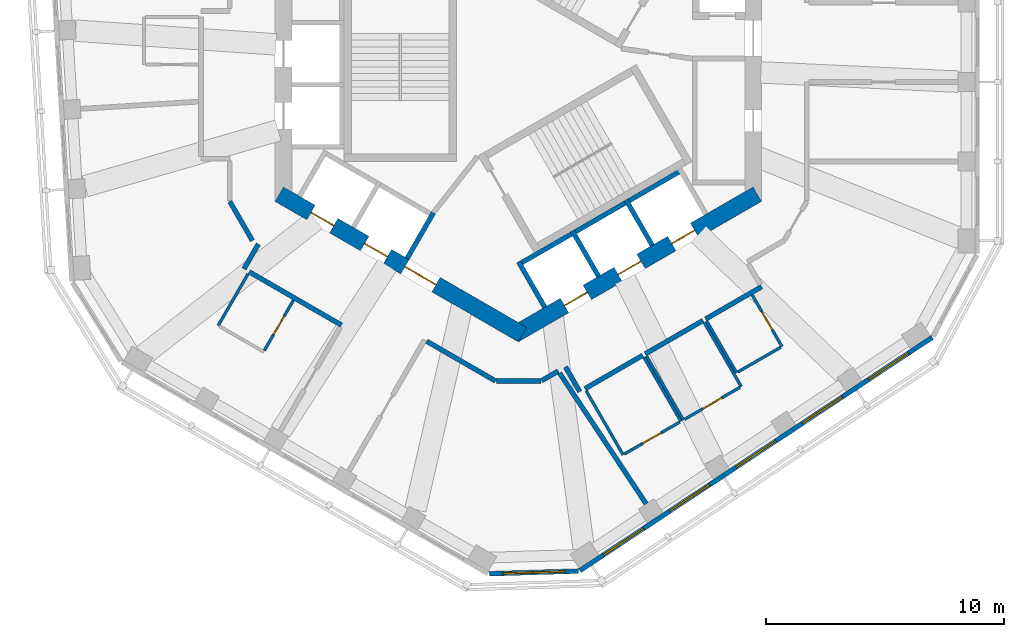
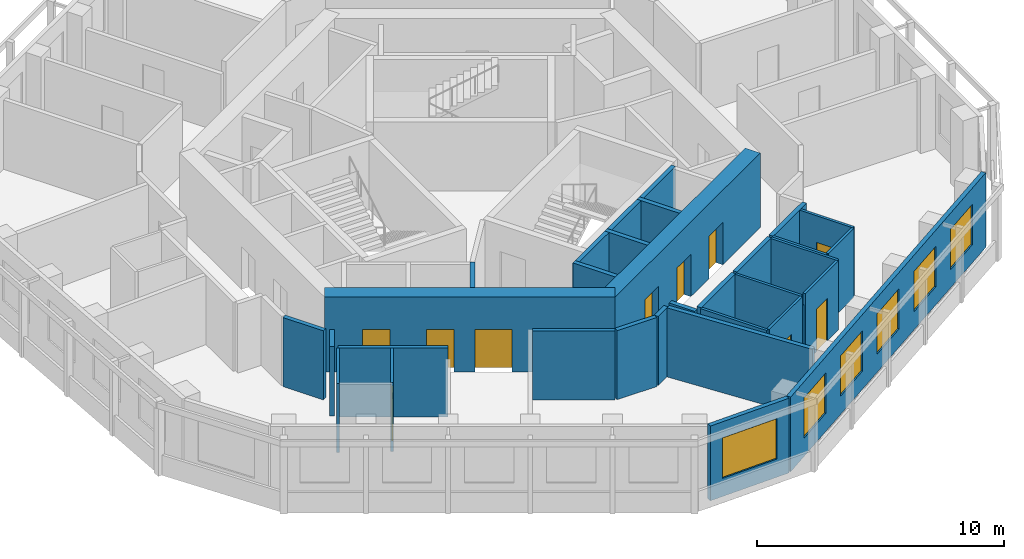
# One storey, part 4 of 11: 31 walls, 10 doors, 6 windows, 16 openings.
"""IFC4 building model written with IfcOpenShell, lengths in metres."""

import ifcopenshell
import ifcopenshell.guid

model = None  # the IFC model being written
_history = None  # IfcOwnerHistory: only IFC2X3 demands one
_inside = {}  # id of a spatial element -> (the spatial element, [elements in it])
_under = {}  # id of a project, library or spatial element -> (it, [spatial elements below it])
_declared = {}  # id of a project -> (the project, [libraries it declares])
_typed = {}  # id of a type object -> (the type object, [elements of that type])
_made_of = {}  # id of a material, layer set ... -> (it, [elements and type objects made of it])


def new_model(schema):
    """Start an empty IFC model of exactly this schema.

    Asked for "IFC4X3", IfcOpenShell would pick the latest addendum, in which some entities
    have other attributes; the version numbers below select the first issue.
    IFC2X3 requires an IfcOwnerHistory on every rooted entity: one is made here for all.
    """
    global model, _history
    if schema == "IFC4X3":
        model = ifcopenshell.file(schema_version=(4, 3, 0, 0))
    else:
        model = ifcopenshell.file(schema=schema)
    _inside.clear()
    _under.clear()
    _declared.clear()
    _typed.clear()
    _made_of.clear()
    _history = None
    if model.schema == "IFC2X3":
        org = make("IfcOrganization", Name="unknown")
        user = make(
            "IfcPersonAndOrganization",
            ThePerson=make("IfcPerson", FamilyName="unknown"),
            TheOrganization=org,
        )
        app = make(
            "IfcApplication",
            ApplicationDeveloper=org,
            Version="unknown",
            ApplicationFullName="unknown",
            ApplicationIdentifier="unknown",
        )
        _history = make(
            "IfcOwnerHistory",
            OwningUser=user,
            OwningApplication=app,
            ChangeAction="ADDED",
            CreationDate=0,
        )
    return model


def make(cls, **values):
    """One entity of the class cls with the attributes given. An attribute that is None is left unset."""
    return model.create_entity(
        cls, **{name: value for name, value in values.items() if value is not None}
    )


def rooted(cls, **values):
    """An entity with a GlobalId (a new one), such as an element, a storey or a relation."""
    return make(cls, GlobalId=ifcopenshell.guid.new(), OwnerHistory=_history, **values)


def si_unit(unit_type, name, prefix=None):
    """IfcSIUnit, for example si_unit("LENGTHUNIT", "METRE", prefix="MILLI")."""
    return make("IfcSIUnit", UnitType=unit_type, Prefix=prefix, Name=name)


def assignment(units):
    """IfcUnitAssignment: the units of a project."""
    return None if units is None else make("IfcUnitAssignment", Units=units)


def point(xyz):
    """IfcCartesianPoint."""
    return None if xyz is None else make("IfcCartesianPoint", Coordinates=xyz)


def direction(xyz):
    """IfcDirection."""
    return None if xyz is None else make("IfcDirection", DirectionRatios=xyz)


def frame(location, z_axis=None, x_axis=None):
    """IfcAxis2Placement3D, a coordinate frame: its origin and axes. An axis left out is left unset."""
    return make(
        "IfcAxis2Placement3D",
        Location=point(location),
        Axis=direction(z_axis),
        RefDirection=direction(x_axis),
    )


def frame_2d(location, x_axis=None):
    """IfcAxis2Placement2D, a coordinate frame in the plane: its origin and x axis."""
    return make(
        "IfcAxis2Placement2D", Location=point(location), RefDirection=direction(x_axis)
    )


def origin():
    """The frame at (0, 0, 0) with its axes left unset."""
    return frame((0.0, 0.0, 0.0))


def place(relative_to, where):
    """IfcLocalPlacement: puts the frame where relative to a parent placement (None: the world)."""
    return make(
        "IfcLocalPlacement", PlacementRelTo=relative_to, RelativePlacement=where
    )


def context(
    kind, dimensions, precision=None, world=None, true_north=None, identifier=None
):
    """IfcGeometricRepresentationContext, for example the 3D "Model" context."""
    return make(
        "IfcGeometricRepresentationContext",
        ContextIdentifier=identifier,
        ContextType=kind,
        CoordinateSpaceDimension=dimensions,
        Precision=precision,
        WorldCoordinateSystem=world,
        TrueNorth=true_north,
    )


def subcontext(parent, identifier, kind, view, scale=None):
    """IfcGeometricRepresentationSubContext, for example "Body" below "Model"."""
    return make(
        "IfcGeometricRepresentationSubContext",
        ContextIdentifier=identifier,
        ContextType=kind,
        ParentContext=parent,
        TargetScale=scale,
        TargetView=view,
    )


def project(units=None, contexts=None):
    """IfcProject with its units and contexts."""
    return rooted(
        "IfcProject",
        Name="project",
        RepresentationContexts=contexts,
        UnitsInContext=assignment(units),
    )


def spatial(cls, under=None, at=None, **own):
    """A site, building, storey or space (cls), placed at a placement, below another one or the project."""
    s = rooted(cls, ObjectPlacement=at, **own)
    if under is not None:
        _under.setdefault(under.id(), (under, []))[1].append(s)
    return s


def profile(cls, at=None, kind="AREA", **sizes):
    """A parametric profile (cls). Its sizes go by their IFC names, for example OverallWidth=200.0."""
    return make(cls, ProfileType=kind, Position=at, **sizes)


def rectangle(**sizes):
    """IfcRectangleProfileDef."""
    return profile("IfcRectangleProfileDef", **sizes)


def extrude(swept, where, along, depth):
    """IfcExtrudedAreaSolid: the profile swept, set in the frame where, extruded along a direction by depth."""
    return make(
        "IfcExtrudedAreaSolid",
        SweptArea=swept,
        Position=where,
        ExtrudedDirection=direction(along),
        Depth=depth,
    )


def shape(context_of_items, identifier, shape_type, items):
    """IfcShapeRepresentation: the items that make up one representation, for example the "Body"."""
    return make(
        "IfcShapeRepresentation",
        ContextOfItems=context_of_items,
        RepresentationIdentifier=identifier,
        RepresentationType=shape_type,
        Items=items,
    )


def material(Name=None, Category=None):
    """IfcMaterial."""
    return make("IfcMaterial", Name=Name, Category=Category)


def layer(
    of_material, thickness, ventilated=None, Name=None, Category=None, Priority=None
):
    """IfcMaterialLayer: one layer of a wall or slab, of a material (None: an air gap)."""
    return make(
        "IfcMaterialLayer",
        Material=of_material,
        LayerThickness=thickness,
        IsVentilated=ventilated,
        Name=Name,
        Category=Category,
        Priority=Priority,
    )


def layer_set(layers, Name=None):
    """IfcMaterialLayerSet."""
    return make("IfcMaterialLayerSet", MaterialLayers=layers, LayerSetName=Name)


def made_of(thing, what):
    """Note that an element or type object is made of a material, layer set ...; save() writes the relation."""
    if what is not None:
        _made_of.setdefault(what.id(), (what, []))[1].append(thing)
    return thing


def type_object(cls, material=None, **own):
    """A type object (cls), such as IfcWallType, which elements share."""
    return made_of(rooted(cls, **own), material)


def element(
    cls,
    number,
    at=None,
    inside=None,
    cuts=None,
    type_object=None,
    material=None,
    context=None,
    identifier="Body",
    shape_type=None,
    held_by="IfcProductDefinitionShape",
    body=None,
    shapes=None,
    **own,
):
    """One element of the class cls, such as IfcWall. Its Tag is "e" and its number.

    at: its placement. inside: the storey or other place that contains it. cuts: it is an
    opening in that element (IfcRelVoidsElement). A single representation is given by context,
    identifier, shape_type and body (its items); several are given by shapes. held_by: the class
    of the entity that holds the representations. save() writes the other relations.
    """
    e = rooted(cls, Tag="e%d" % number, ObjectPlacement=at, **own)
    if body is not None:
        shapes = [shape(context, identifier, shape_type, body)]
    if shapes is not None:
        e.Representation = make(held_by, Representations=shapes)
    if inside is not None:
        _inside.setdefault(inside.id(), (inside, []))[1].append(e)
    if cuts is not None:
        rooted(
            "IfcRelVoidsElement", RelatingBuildingElement=cuts, RelatedOpeningElement=e
        )
    if type_object is not None:
        _typed.setdefault(type_object.id(), (type_object, []))[1].append(e)
    return made_of(e, material)


def fill(opening, filler):
    """IfcRelFillsElement: the door or window that sits in an opening."""
    return rooted(
        "IfcRelFillsElement",
        RelatingOpeningElement=opening,
        RelatedBuildingElement=filler,
    )


def aggregate(whole, parts):
    """IfcRelAggregates: a whole, such as a stair, and the parts it consists of."""
    return rooted("IfcRelAggregates", RelatingObject=whole, RelatedObjects=parts)


def save(model, path):
    """Write the relations noted so far, then the file.

    IfcRelAggregates (storeys below a building ...), IfcRelContainedInSpatialStructure (elements
    in a storey), IfcRelDefinesByType, IfcRelAssociatesMaterial and IfcRelDeclares: one each for
    every whole, place, type object, material and project.
    """
    for whole, parts in _under.values():
        aggregate(whole, parts)
    for where, things in _inside.values():
        rooted(
            "IfcRelContainedInSpatialStructure",
            RelatedElements=things,
            RelatingStructure=where,
        )
    for kind, things in _typed.values():
        rooted("IfcRelDefinesByType", RelatedObjects=things, RelatingType=kind)
    for what, things in _made_of.values():
        rooted("IfcRelAssociatesMaterial", RelatedObjects=things, RelatingMaterial=what)
    for by, libraries in _declared.values():
        rooted("IfcRelDeclares", RelatingContext=by, RelatedDefinitions=libraries)
    model.write(path)


model = new_model("IFC4")

# Units and contexts
model_context = context("Model", 3, precision=1e-05, world=origin(), true_north=direction((0.0, 1.0)))
body_context = subcontext(model_context, "Body", "Model", "MODEL_VIEW")
ifc_project = project(units=[si_unit("LENGTHUNIT", "METRE"), si_unit("AREAUNIT", "SQUARE_METRE"), si_unit("VOLUMEUNIT", "CUBIC_METRE"), si_unit("PLANEANGLEUNIT", "RADIAN"), si_unit("MASSUNIT", "GRAM", prefix="KILO")], contexts=[model_context])

# Site, building, storey
site_placement = place(None, origin())
site = spatial("IfcSite", under=ifc_project, at=site_placement, CompositionType="ELEMENT")
building_placement = place(site_placement, origin())
building = spatial("IfcBuilding", under=site, at=building_placement, Name="Vanh Sen Convention Tower", CompositionType="ELEMENT")
storey_placement = place(building_placement, frame((0.0, 0.0, 289.39990234375)))
storey = spatial("IfcBuildingStorey", under=building, at=storey_placement, Name="L71", CompositionType="ELEMENT", Elevation=289.39990234375)

# Wall
ifc_material_1 = material(Name="Moisture-resistant gypsum board on steel studs", Category="steel")
ifc_layer_1 = layer(ifc_material_1, 0.1201171875)
ifc_layer_set_1 = layer_set([ifc_layer_1], Name="Moisture-resistant gypsum board on steel studs")
wall_type_1 = type_object("IfcWallType", Name="Bathroom partition 120", PredefinedType="PARTITIONING", material=ifc_layer_set_1)
wall_1_placement = place(storey_placement, frame((-12.584716796875, -11.09521484375, 0.0), z_axis=(0.0, 0.0, 1.0), x_axis=(0.500004234368, 0.866022959057, 0.0)))
element("IfcWall", 1, at=wall_1_placement, inside=storey, type_object=wall_type_1, Name="Bathroom partition 120", PredefinedType="PARTITIONING", context=body_context, shape_type="SweptSolid", body=[
    extrude(rectangle(XDim=2.5, YDim=0.1201171875, at=frame_2d((1.25, 0.0))), origin(), (0.0, 0.0, 1.0), 3.420166015625),
])

# Wall, opening, door
wall_2_placement = place(storey_placement, frame((-9.42919921875, -10.030029296875, 0.0), z_axis=(0.0, 0.0, 1.0), x_axis=(-0.500034220881, -0.866005645448, 0.0)))
wall_2 = element("IfcWall", 2, at=wall_2_placement, inside=storey, type_object=wall_type_1, Name="Bathroom partition 120", PredefinedType="PARTITIONING", context=body_context, shape_type="SweptSolid", body=[
    extrude(rectangle(XDim=2.440185546875, YDim=0.1201171875, at=frame_2d((1.22021484375, 0.0))), origin(), (0.0, 0.0, 1.0), 3.420166015625),
])
opening_1_placement = place(wall_2_placement, frame((0.77001953125, 0.0, 0.0)))
opening_1 = element("IfcOpeningElement", 3, at=opening_1_placement, cuts=wall_2, Name="Opening D70114", PredefinedType="OPENING", context=body_context, shape_type="SweptSolid", body=[
    extrude(rectangle(XDim=0.89990234375, YDim=2.10009765625, at=frame_2d((0.449951171875, 1.050048828125))), frame((0.0, 0.070068359375, 0.0), z_axis=(0.0, -1.0, 0.0), x_axis=(1.0, 0.0, 0.0)), (0.0, 0.0, 1.0), 0.14013671875),
])
ifc_material_2 = material(Name="Laminate door in steel frame", Category="steel")
door_type_1 = type_object("IfcDoorType", Name="Room internal door 900", OperationType="SINGLE_SWING_LEFT", PredefinedType="DOOR", material=ifc_material_2)
door_1_placement = place(opening_1_placement, origin())
door_1 = element("IfcDoor", 4, at=door_1_placement, inside=storey, type_object=door_type_1, Name="Internal room door D70114", OperationType="SINGLE_SWING_LEFT", OverallHeight=2.10009765625, OverallWidth=0.89990234375, PredefinedType="DOOR", context=body_context, shape_type="SweptSolid", body=[
    extrude(rectangle(XDim=0.89990234375, YDim=2.10009765625, at=frame_2d((0.449951171875, 1.050048828125))), frame((0.0, 0.02490234375, 0.0), z_axis=(0.0, -1.0, 0.0), x_axis=(1.0, 0.0, 0.0)), (0.0, 0.0, 1.0), 0.050048828125),
])
fill(opening_1, door_1)

# Walls
wall_3_placement = place(storey_placement, frame((4.395751953125, -16.515869140625, 0.0), z_axis=(0.0, 0.0, 1.0), x_axis=(-0.49999285859, 0.86602952684, 0.0)))
element("IfcWall", 5, at=wall_3_placement, inside=storey, type_object=wall_type_1, Name="Bathroom partition 120", PredefinedType="PARTITIONING", context=body_context, shape_type="SweptSolid", body=[
    extrude(rectangle(XDim=3.10009765625, YDim=0.1201171875, at=frame_2d((1.550048828125, 0.0))), origin(), (0.0, 0.0, 1.0), 3.420166015625),
])
wall_4_placement = place(storey_placement, frame((5.270751953125, -12.43115234375, 0.0), z_axis=(0.0, 0.0, 1.0), x_axis=(0.500026960575, -0.86600983753, 0.0)))
element("IfcWall", 6, at=wall_4_placement, inside=storey, type_object=wall_type_1, Name="Bathroom partition 120", PredefinedType="PARTITIONING", context=body_context, shape_type="SweptSolid", body=[
    extrude(rectangle(XDim=3.099853515625, YDim=0.1201171875, at=frame_2d((1.5498046875, 0.0))), origin(), (0.0, 0.0, 1.0), 3.420166015625),
])

# Wall, opening, door
wall_5_placement = place(storey_placement, frame((6.768798828125, -15.145751953125, 0.0), z_axis=(0.0, 0.0, 1.0), x_axis=(-0.866020236886, -0.500008949224, 0.0)))
wall_5 = element("IfcWall", 7, at=wall_5_placement, inside=storey, type_object=wall_type_1, Name="Bathroom partition 120", PredefinedType="PARTITIONING", context=body_context, shape_type="SweptSolid", body=[
    extrude(rectangle(XDim=2.68017578125, YDim=0.1201171875, at=frame_2d((1.340087890625, 0.0))), origin(), (0.0, 0.0, 1.0), 3.420166015625),
])
opening_2_placement = place(wall_5_placement, frame((0.889892578125, 0.0, 0.0)))
opening_2 = element("IfcOpeningElement", 8, at=opening_2_placement, cuts=wall_5, Name="Opening D70117", PredefinedType="OPENING", context=body_context, shape_type="SweptSolid", body=[
    extrude(rectangle(XDim=0.89990234375, YDim=2.10009765625, at=frame_2d((0.449951171875, 1.050048828125))), frame((0.0, 0.070068359375, 0.0), z_axis=(0.0, -1.0, 0.0), x_axis=(1.0, 0.0, 0.0)), (0.0, 0.0, 1.0), 0.14013671875),
])
door_2_placement = place(opening_2_placement, origin())
door_2 = element("IfcDoor", 9, at=door_2_placement, inside=storey, type_object=door_type_1, Name="Internal room door D70117", OperationType="SINGLE_SWING_LEFT", OverallHeight=2.10009765625, OverallWidth=0.89990234375, PredefinedType="DOOR", context=body_context, shape_type="SweptSolid", body=[
    extrude(rectangle(XDim=0.89990234375, YDim=2.10009765625, at=frame_2d((0.449951171875, 1.050048828125))), frame((0.0, 0.02490234375, 0.0), z_axis=(0.0, -1.0, 0.0), x_axis=(1.0, 0.0, 0.0)), (0.0, 0.0, 1.0), 0.050048828125),
])
fill(opening_2, door_2)

# Walls
wall_6_placement = place(storey_placement, frame((6.924560546875, -15.055908203125, 0.0), z_axis=(0.0, 0.0, 1.0), x_axis=(-0.49999285859, 0.86602952684, 0.0)))
element("IfcWall", 10, at=wall_6_placement, inside=storey, type_object=wall_type_1, Name="Bathroom partition 120", PredefinedType="PARTITIONING", context=body_context, shape_type="SweptSolid", body=[
    extrude(rectangle(XDim=3.10009765625, YDim=0.1201171875, at=frame_2d((1.550048828125, 0.0))), origin(), (0.0, 0.0, 1.0), 2.8701171875),
])
wall_7_placement = place(storey_placement, frame((7.799560546875, -10.97119140625, 0.0), z_axis=(0.0, 0.0, 1.0), x_axis=(0.500026960575, -0.86600983753, 0.0)))
element("IfcWall", 11, at=wall_7_placement, inside=storey, type_object=wall_type_1, Name="Bathroom partition 120", PredefinedType="PARTITIONING", context=body_context, shape_type="SweptSolid", body=[
    extrude(rectangle(XDim=3.099853515625, YDim=0.1201171875, at=frame_2d((1.5498046875, 0.0))), origin(), (0.0, 0.0, 1.0), 3.420166015625),
])
wall_8_placement = place(storey_placement, frame((9.1533203125, -13.076171875, 0.0), z_axis=(0.0, 0.0, 1.0), x_axis=(-0.500004234368, 0.866022959057, 0.0)))
element("IfcWall", 12, at=wall_8_placement, inside=storey, type_object=wall_type_1, Name="Bathroom partition 120", PredefinedType="PARTITIONING", context=body_context, shape_type="SweptSolid", body=[
    extrude(rectangle(XDim=2.5, YDim=0.1201171875, at=frame_2d((1.25, 0.0))), origin(), (0.0, 0.0, 1.0), 3.420166015625),
])

# Wall, opening, door
wall_9_placement = place(storey_placement, frame((9.297607421875, -13.685791015625, 0.0), z_axis=(0.0, 0.0, 1.0), x_axis=(-0.866020236886, -0.500008949224, 0.0)))
wall_9 = element("IfcWall", 13, at=wall_9_placement, inside=storey, type_object=wall_type_1, Name="Bathroom partition 120", PredefinedType="PARTITIONING", context=body_context, shape_type="SweptSolid", body=[
    extrude(rectangle(XDim=2.68017578125, YDim=0.1201171875, at=frame_2d((1.340087890625, 0.0))), origin(), (0.0, 0.0, 1.0), 3.420166015625),
])
opening_3_placement = place(wall_9_placement, frame((0.889892578125, 0.0, 0.0)))
opening_3 = element("IfcOpeningElement", 14, at=opening_3_placement, cuts=wall_9, Name="Opening D70118", PredefinedType="OPENING", context=body_context, shape_type="SweptSolid", body=[
    extrude(rectangle(XDim=0.89990234375, YDim=2.10009765625, at=frame_2d((0.449951171875, 1.050048828125))), frame((0.0, 0.070068359375, 0.0), z_axis=(0.0, -1.0, 0.0), x_axis=(1.0, 0.0, 0.0)), (0.0, 0.0, 1.0), 0.14013671875),
])
door_3_placement = place(opening_3_placement, origin())
door_3 = element("IfcDoor", 15, at=door_3_placement, inside=storey, type_object=door_type_1, Name="Internal room door D70118", OperationType="SINGLE_SWING_LEFT", OverallHeight=2.10009765625, OverallWidth=0.89990234375, PredefinedType="DOOR", context=body_context, shape_type="SweptSolid", body=[
    extrude(rectangle(XDim=0.89990234375, YDim=2.10009765625, at=frame_2d((0.449951171875, 1.050048828125))), frame((0.0, 0.02490234375, 0.0), z_axis=(0.0, -1.0, 0.0), x_axis=(1.0, 0.0, 0.0)), (0.0, 0.0, 1.0), 0.050048828125),
])
fill(opening_3, door_3)

wall_10_placement = place(storey_placement, frame((9.80859375, -9.81103515625, 0.0), z_axis=(0.0, 0.0, 1.0), x_axis=(0.499961950354, -0.866047370643, 0.0)))
wall_10 = element("IfcWall", 16, at=wall_10_placement, inside=storey, type_object=wall_type_1, Name="Bathroom partition 120", PredefinedType="PARTITIONING", context=body_context, shape_type="SweptSolid", body=[
    extrude(rectangle(XDim=2.500244140625, YDim=0.1201171875, at=frame_2d((1.25, 0.0))), origin(), (0.0, 0.0, 1.0), 3.420166015625),
])
opening_4_placement = place(wall_10_placement, frame((0.800048828125, 0.0, 0.0)))
opening_4 = element("IfcOpeningElement", 17, at=opening_4_placement, cuts=wall_10, Name="Opening D70119", PredefinedType="OPENING", context=body_context, shape_type="SweptSolid", body=[
    extrude(rectangle(XDim=0.89990234375, YDim=2.10009765625, at=frame_2d((0.449951171875, 1.050048828125))), frame((0.0, 0.070068359375, 0.0), z_axis=(0.0, -1.0, 0.0), x_axis=(1.0, 0.0, 0.0)), (0.0, 0.0, 1.0), 0.14013671875),
])
door_4_placement = place(opening_4_placement, origin())
door_4 = element("IfcDoor", 18, at=door_4_placement, inside=storey, type_object=door_type_1, Name="Internal room door D70119", OperationType="SINGLE_SWING_LEFT", OverallHeight=2.10009765625, OverallWidth=0.89990234375, PredefinedType="DOOR", context=body_context, shape_type="SweptSolid", body=[
    extrude(rectangle(XDim=0.89990234375, YDim=2.10009765625, at=frame_2d((0.449951171875, 1.050048828125))), frame((0.0, 0.02490234375, 0.0), z_axis=(0.0, -1.0, 0.0), x_axis=(1.0, 0.0, 0.0)), (0.0, 0.0, 1.0), 0.050048828125),
])
fill(opening_4, door_4)

# Wall
wall_11_placement = place(storey_placement, frame((11.006591796875, -12.006103515625, 0.0), z_axis=(0.0, 0.0, 1.0), x_axis=(-0.866009661879, -0.500027264788, 0.0)))
element("IfcWall", 19, at=wall_11_placement, inside=storey, type_object=wall_type_1, Name="Bathroom partition 120", PredefinedType="PARTITIONING", context=body_context, shape_type="SweptSolid", body=[
    extrude(rectangle(XDim=2.080078125, YDim=0.1201171875, at=frame_2d((1.0400390625, 0.0))), origin(), (0.0, 0.0, 1.0), 3.420166015625),
])

# Wall, openings, doors
ifc_material_3 = material(Name="Concrete C60/75", Category="concrete")
ifc_layer_2 = layer(ifc_material_3, 0.699951171875)
ifc_layer_set_2 = layer_set([ifc_layer_2], Name="Concrete C60/75")
wall_type_2 = type_object("IfcWallType", Name="Core outer wall 700 C60/75", PredefinedType="SHEAR", material=ifc_layer_set_2)
wall_12_placement = place(storey_placement, frame((-10.02490234375, -5.5859375, 0.0), z_axis=(0.0, 0.0, 1.0), x_axis=(0.866026453023, -0.499998182661, 0.0)))
wall_12 = element("IfcWall", 20, at=wall_12_placement, inside=storey, type_object=wall_type_2, Name="Core wall face SW L71", PredefinedType="SHEAR", context=body_context, shape_type="SweptSolid", body=[
    extrude(rectangle(XDim=11.77783203125, YDim=0.699951171875, at=frame_2d((5.888916015625, 0.0))), origin(), (0.0, 0.0, 1.0), 3.7001953125),
])
opening_5_placement = place(wall_12_placement, frame((6.089111328125, 0.0, 0.0)))
opening_5 = element("IfcOpeningElement", 21, at=opening_5_placement, cuts=wall_12, Name="Opening D70003", PredefinedType="OPENING", context=body_context, shape_type="SweptSolid", body=[
    extrude(rectangle(XDim=1.5, YDim=2.10009765625, at=frame_2d((0.75, 1.050048828125))), frame((0.0, 0.35986328125, 0.0), z_axis=(0.0, -1.0, 0.0), x_axis=(1.0, 0.0, 0.0)), (0.0, 0.0, 1.0), 0.719970703125),
])
opening_6_placement = place(wall_12_placement, frame((1.5390625, 0.0, 0.0)))
opening_6 = element("IfcOpeningElement", 22, at=opening_6_placement, cuts=wall_12, Name="Opening LD-HR3", PredefinedType="OPENING", context=body_context, shape_type="SweptSolid", body=[
    extrude(rectangle(XDim=1.10009765625, YDim=2.10009765625, at=frame_2d((0.550048828125, 1.050048828125))), frame((0.0, 0.35986328125, 0.0), z_axis=(0.0, -1.0, 0.0), x_axis=(1.0, 0.0, 0.0)), (0.0, 0.0, 1.0), 0.719970703125),
])
opening_7_placement = place(wall_12_placement, frame((4.138916015625, 0.0, 0.0)))
opening_7 = element("IfcOpeningElement", 23, at=opening_7_placement, cuts=wall_12, Name="Opening LD-HR4", PredefinedType="OPENING", context=body_context, shape_type="SweptSolid", body=[
    extrude(rectangle(XDim=1.10009765625, YDim=2.10009765625, at=frame_2d((0.550048828125, 1.050048828125))), frame((0.0, 0.35986328125, 0.0), z_axis=(0.0, -1.0, 0.0), x_axis=(1.0, 0.0, 0.0)), (0.0, 0.0, 1.0), 0.719970703125),
])
ifc_material_4 = material(Name="Stainless steel", Category="steel")
door_type_2 = type_object("IfcDoorType", Name="Lift landing door 1100", OperationType="DOUBLE_DOOR_SLIDING", PredefinedType="DOOR", material=ifc_material_4)
door_5_placement = place(opening_6_placement, origin())
door_5 = element("IfcDoor", 24, at=door_5_placement, inside=storey, type_object=door_type_2, Name="Lift HR3 landing door LD-HR3", OperationType="DOUBLE_DOOR_SLIDING", OverallHeight=2.10009765625, OverallWidth=1.10009765625, PredefinedType="DOOR", context=body_context, shape_type="SweptSolid", body=[
    extrude(rectangle(XDim=1.10009765625, YDim=2.10009765625, at=frame_2d((0.550048828125, 1.050048828125))), frame((0.0, 0.02490234375, 0.0), z_axis=(0.0, -1.0, 0.0), x_axis=(1.0, 0.0, 0.0)), (0.0, 0.0, 1.0), 0.050048828125),
])
fill(opening_6, door_5)
door_6_placement = place(opening_7_placement, origin())
door_6 = element("IfcDoor", 25, at=door_6_placement, inside=storey, type_object=door_type_2, Name="Lift HR4 landing door LD-HR4", OperationType="DOUBLE_DOOR_SLIDING", OverallHeight=2.10009765625, OverallWidth=1.10009765625, PredefinedType="DOOR", context=body_context, shape_type="SweptSolid", body=[
    extrude(rectangle(XDim=1.10009765625, YDim=2.10009765625, at=frame_2d((0.550048828125, 1.050048828125))), frame((0.0, 0.02490234375, 0.0), z_axis=(0.0, -1.0, 0.0), x_axis=(1.0, 0.0, 0.0)), (0.0, 0.0, 1.0), 0.050048828125),
])
fill(opening_7, door_6)
ifc_material_5 = material(Name="Steel S355", Category="steel")
door_type_3 = type_object("IfcDoorType", Name="Stair lobby door 1500", OperationType="DOUBLE_DOOR_SINGLE_SWING", PredefinedType="DOOR", material=ifc_material_5)
door_7_placement = place(opening_5_placement, origin())
door_7 = element("IfcDoor", 26, at=door_7_placement, inside=storey, type_object=door_type_3, Name="Stair lobby door D70003", OperationType="DOUBLE_DOOR_SINGLE_SWING", OverallHeight=2.10009765625, OverallWidth=1.5, PredefinedType="DOOR", context=body_context, shape_type="SweptSolid", body=[
    extrude(rectangle(XDim=1.5, YDim=2.10009765625, at=frame_2d((0.75, 1.050048828125))), frame((0.0, 0.02490234375, 0.0), z_axis=(0.0, -1.0, 0.0), x_axis=(1.0, 0.0, 0.0)), (0.0, 0.0, 1.0), 0.050048828125),
])
fill(opening_5, door_7)

wall_13_placement = place(storey_placement, frame((-0.175048828125, -11.474853515625, 0.0), z_axis=(0.0, 0.0, 1.0), x_axis=(0.866026453023, 0.499998182661, 0.0)))
wall_13 = element("IfcWall", 27, at=wall_13_placement, inside=storey, type_object=wall_type_2, Name="Core wall face SE L71", PredefinedType="SHEAR", context=body_context, shape_type="SweptSolid", body=[
    extrude(rectangle(XDim=11.77783203125, YDim=0.699951171875, at=frame_2d((5.888916015625, 0.0))), origin(), (0.0, 0.0, 1.0), 3.7001953125),
])
opening_8_placement = place(wall_13_placement, frame((2.43896484375, 0.0, 0.0)))
opening_8 = element("IfcOpeningElement", 28, at=opening_8_placement, cuts=wall_13, Name="Opening LD-HR5", PredefinedType="OPENING", context=body_context, shape_type="SweptSolid", body=[
    extrude(rectangle(XDim=1.10009765625, YDim=2.10009765625, at=frame_2d((0.550048828125, 1.050048828125))), frame((0.0, 0.35986328125, 0.0), z_axis=(0.0, -1.0, 0.0), x_axis=(1.0, 0.0, 0.0)), (0.0, 0.0, 1.0), 0.719970703125),
])
opening_9_placement = place(wall_13_placement, frame((5.0390625, 0.0, 0.0)))
opening_9 = element("IfcOpeningElement", 29, at=opening_9_placement, cuts=wall_13, Name="Opening LD-HR6", PredefinedType="OPENING", context=body_context, shape_type="SweptSolid", body=[
    extrude(rectangle(XDim=1.10009765625, YDim=2.10009765625, at=frame_2d((0.550048828125, 1.050048828125))), frame((0.0, 0.35986328125, 0.0), z_axis=(0.0, -1.0, 0.0), x_axis=(1.0, 0.0, 0.0)), (0.0, 0.0, 1.0), 0.719970703125),
])
opening_10_placement = place(wall_13_placement, frame((7.638916015625, 0.0, 0.0)))
opening_10 = element("IfcOpeningElement", 30, at=opening_10_placement, cuts=wall_13, Name="Opening LD-SV1", PredefinedType="OPENING", context=body_context, shape_type="SweptSolid", body=[
    extrude(rectangle(XDim=1.10009765625, YDim=2.10009765625, at=frame_2d((0.550048828125, 1.050048828125))), frame((0.0, 0.35986328125, 0.0), z_axis=(0.0, -1.0, 0.0), x_axis=(1.0, 0.0, 0.0)), (0.0, 0.0, 1.0), 0.719970703125),
])
door_8_placement = place(opening_8_placement, origin())
door_8 = element("IfcDoor", 31, at=door_8_placement, inside=storey, type_object=door_type_2, Name="Lift HR5 landing door LD-HR5", OperationType="DOUBLE_DOOR_SLIDING", OverallHeight=2.10009765625, OverallWidth=1.10009765625, PredefinedType="DOOR", context=body_context, shape_type="SweptSolid", body=[
    extrude(rectangle(XDim=1.10009765625, YDim=2.10009765625, at=frame_2d((0.550048828125, 1.050048828125))), frame((0.0, 0.02490234375, 0.0), z_axis=(0.0, -1.0, 0.0), x_axis=(1.0, 0.0, 0.0)), (0.0, 0.0, 1.0), 0.050048828125),
])
fill(opening_8, door_8)
door_9_placement = place(opening_9_placement, origin())
door_9 = element("IfcDoor", 32, at=door_9_placement, inside=storey, type_object=door_type_2, Name="Lift HR6 landing door LD-HR6", OperationType="DOUBLE_DOOR_SLIDING", OverallHeight=2.10009765625, OverallWidth=1.10009765625, PredefinedType="DOOR", context=body_context, shape_type="SweptSolid", body=[
    extrude(rectangle(XDim=1.10009765625, YDim=2.10009765625, at=frame_2d((0.550048828125, 1.050048828125))), frame((0.0, 0.02490234375, 0.0), z_axis=(0.0, -1.0, 0.0), x_axis=(1.0, 0.0, 0.0)), (0.0, 0.0, 1.0), 0.050048828125),
])
fill(opening_9, door_9)
door_10_placement = place(opening_10_placement, origin())
door_10 = element("IfcDoor", 33, at=door_10_placement, inside=storey, type_object=door_type_2, Name="Lift SV1 landing door LD-SV1", OperationType="DOUBLE_DOOR_SLIDING", OverallHeight=2.10009765625, OverallWidth=1.10009765625, PredefinedType="DOOR", context=body_context, shape_type="SweptSolid", body=[
    extrude(rectangle(XDim=1.10009765625, YDim=2.10009765625, at=frame_2d((0.550048828125, 1.050048828125))), frame((0.0, 0.02490234375, 0.0), z_axis=(0.0, -1.0, 0.0), x_axis=(1.0, 0.0, 0.0)), (0.0, 0.0, 1.0), 0.050048828125),
])
fill(opening_10, door_10)

# Walls
ifc_material_6 = material(Name="Gypsum board on steel studs with mineral wool", Category="steel")
ifc_layer_3 = layer(ifc_material_6, 0.199951171875)
ifc_layer_set_3 = layer_set([ifc_layer_3], Name="Gypsum board on steel studs with mineral wool")
wall_type_3 = type_object("IfcWallType", Name="Corridor partition wall 200", PredefinedType="PARTITIONING", material=ifc_layer_set_3)
wall_14_placement = place(storey_placement, frame((-12.10009765625, -5.888916015625, 0.0), z_axis=(0.0, 0.0, 1.0), x_axis=(0.500063520245, -0.865988727248, 0.0)))
element("IfcWall", 34, at=wall_14_placement, inside=storey, type_object=wall_type_3, Name="Corridor partition wall 200", PredefinedType="PARTITIONING", context=body_context, shape_type="SweptSolid", body=[
    extrude(rectangle(XDim=1.900146484375, YDim=0.199951171875, at=frame_2d((0.9501953125, 0.0))), origin(), (0.0, 0.0, 1.0), 3.420166015625),
])
wall_15_placement = place(storey_placement, frame((-11.28466796875, -8.843505859375, 0.0), z_axis=(0.0, 0.0, 1.0), x_axis=(0.866021785011, -0.500006267848, 0.0)))
element("IfcWall", 35, at=wall_15_placement, inside=storey, type_object=wall_type_3, Name="Corridor partition wall 200", PredefinedType="PARTITIONING", context=body_context, shape_type="SweptSolid", body=[
    extrude(rectangle(XDim=4.4677734375, YDim=0.199951171875, at=frame_2d((2.23388671875, 0.0))), origin(), (0.0, 0.0, 1.0), 3.420166015625),
])
wall_16_placement = place(storey_placement, frame((-10.900634765625, -7.678466796875, 0.0), z_axis=(0.0, 0.0, 1.0), x_axis=(-0.500074377092, -0.865982457891, 0.0)))
element("IfcWall", 36, at=wall_16_placement, inside=storey, type_object=wall_type_3, Name="Corridor partition wall 200", PredefinedType="PARTITIONING", context=body_context, shape_type="SweptSolid", body=[
    extrude(rectangle(XDim=1.200927734375, YDim=0.199951171875, at=frame_2d((0.6005859375, 0.0))), origin(), (0.0, 0.0, 1.0), 3.420166015625),
])
wall_17_placement = place(storey_placement, frame((-3.84326171875, -11.7529296875, 0.0), z_axis=(0.0, 0.0, 1.0), x_axis=(0.866031037473, -0.499990242038, 0.0)))
element("IfcWall", 37, at=wall_17_placement, inside=storey, type_object=wall_type_3, Name="Corridor partition wall 200", PredefinedType="PARTITIONING", context=body_context, shape_type="SweptSolid", body=[
    extrude(rectangle(XDim=3.3408203125, YDim=0.199951171875, at=frame_2d((1.67041015625, 0.0))), origin(), (0.0, 0.0, 1.0), 3.420166015625),
])
wall_18_placement = place(storey_placement, frame((-0.909912109375, -13.42333984375, 0.0), z_axis=(0.0, 0.0, 1.0), x_axis=(1.0, 0.0, 0.0)))
element("IfcWall", 38, at=wall_18_placement, inside=storey, type_object=wall_type_3, Name="Corridor partition wall 200", PredefinedType="PARTITIONING", context=body_context, shape_type="SweptSolid", body=[
    extrude(rectangle(XDim=1.85986328125, YDim=0.199951171875, at=frame_2d((0.929931640625, 0.0))), origin(), (0.0, 0.0, 1.0), 3.420166015625),
])
wall_19_placement = place(storey_placement, frame((0.984619140625, -13.4033203125, 0.0), z_axis=(0.0, 0.0, 1.0), x_axis=(0.866032814021, 0.499987164874, 0.0)))
element("IfcWall", 39, at=wall_19_placement, inside=storey, type_object=wall_type_3, Name="Corridor partition wall 200", PredefinedType="PARTITIONING", context=body_context, shape_type="SweptSolid", body=[
    extrude(rectangle(XDim=0.79833984375, YDim=0.199951171875, at=frame_2d((0.399169921875, 0.0))), origin(), (0.0, 0.0, 1.0), 3.420166015625),
])
wall_20_placement = place(storey_placement, frame((1.978759765625, -12.829345703125, 0.0), z_axis=(0.0, 0.0, 1.0), x_axis=(0.500074377092, -0.865982457891, 0.0)))
element("IfcWall", 40, at=wall_20_placement, inside=storey, type_object=wall_type_3, Name="Corridor partition wall 200", PredefinedType="PARTITIONING", context=body_context, shape_type="SweptSolid", body=[
    extrude(rectangle(XDim=1.200927734375, YDim=0.199951171875, at=frame_2d((0.6005859375, 0.0))), origin(), (0.0, 0.0, 1.0), 3.420166015625),
])
for number, where, z_axis, x_axis, name in (
    (41, (2.7958984375, -13.744384765625, 0.0), (0.0, 0.0, 1.0), (0.866034573852, 0.49998411664, 0.0), "Corridor partition wall 200"),
    (42, (5.32470703125, -12.284423828125, 0.0), (0.0, 0.0, 1.0), (0.866034573852, 0.49998411664, 0.0), "Corridor partition wall 200"),
):
    element("IfcWall", number, at=place(storey_placement, frame(where, z_axis=z_axis, x_axis=x_axis)), inside=storey, type_object=wall_type_3, Name=name, PredefinedType="PARTITIONING", context=body_context, shape_type="SweptSolid", body=[
        extrude(rectangle(XDim=2.7998046875, YDim=0.199951171875, at=frame_2d((1.39990234375, 0.0))), origin(), (0.0, 0.0, 1.0), 3.420166015625),
    ])
wall_21_placement = place(storey_placement, frame((7.853515625, -10.824462890625, 0.0), z_axis=(0.0, 0.0, 1.0), x_axis=(0.866029675718, 0.499992600721, 0.0)))
element("IfcWall", 43, at=wall_21_placement, inside=storey, type_object=wall_type_3, Name="Corridor partition wall 200", PredefinedType="PARTITIONING", context=body_context, shape_type="SweptSolid", body=[
    extrude(rectangle(XDim=2.7119140625, YDim=0.199951171875, at=frame_2d((1.35595703125, 0.0))), origin(), (0.0, 0.0, 1.0), 3.420166015625),
])

# Wall, opening, window
ifc_material_7 = material(Name="Insulated lightweight infill wall")
ifc_layer_4 = layer(ifc_material_7, 0.199951171875)
ifc_layer_set_4 = layer_set([ifc_layer_4], Name="Insulated lightweight infill wall")
wall_type_4 = type_object("IfcWallType", Name="External wall 200", PredefinedType="STANDARD", material=ifc_layer_set_4)
wall_22_placement = place(storey_placement, frame((-1.21728515625, -21.508056640625, 0.0), z_axis=(0.0, 0.0, 1.0), x_axis=(0.99953295295, 0.030559384285, 0.0)))
wall_22 = element("IfcWall", 44, at=wall_22_placement, inside=storey, type_object=wall_type_4, Name="External wall CH5 L71", PredefinedType="STANDARD", context=body_context, shape_type="SweptSolid", body=[
    extrude(rectangle(XDim=3.746826171875, YDim=0.199951171875, at=frame_2d((1.87353515625, 0.0))), origin(), (0.0, 0.0, 1.0), 3.7001953125),
])
opening_11_placement = place(wall_22_placement, frame((0.573486328125, 0.0, 0.89990234375)))
opening_11 = element("IfcOpeningElement", 45, at=opening_11_placement, cuts=wall_22, Name="Opening WO6-CH51", PredefinedType="OPENING", context=body_context, shape_type="SweptSolid", body=[
    extrude(rectangle(XDim=2.60009765625, YDim=2.0, at=frame_2d((1.300048828125, 1.0))), frame((0.0, 0.10986328125, 0.0), z_axis=(0.0, -1.0, 0.0), x_axis=(1.0, 0.0, 0.0)), (0.0, 0.0, 1.0), 0.219970703125),
])
ifc_material_8 = material(Name="Aluminium frame with clear low-emissivity glass", Category="aluminium")
window_type_1 = type_object("IfcWindowType", Name="Office window 2600 x 2000", PartitioningType="SINGLE_PANEL", PredefinedType="WINDOW", material=ifc_material_8)
window_1_placement = place(opening_11_placement, origin())
window_1 = element("IfcWindow", 46, at=window_1_placement, inside=storey, type_object=window_type_1, Name="Window WO6-CH51", OverallHeight=2.0, OverallWidth=2.60009765625, PartitioningType="SINGLE_PANEL", PredefinedType="WINDOW", context=body_context, shape_type="SweptSolid", body=[
    extrude(rectangle(XDim=2.60009765625, YDim=2.0, at=frame_2d((1.300048828125, 1.0))), frame((0.0, 0.030029296875, 0.0), z_axis=(0.0, -1.0, 0.0), x_axis=(1.0, 0.0, 0.0)), (0.0, 0.0, 1.0), 0.06005859375),
])
fill(opening_11, window_1)

# Wall, openings, windows
wall_23_placement = place(storey_placement, frame((2.580078125, -21.376953125, 0.0), z_axis=(0.0, 0.0, 1.0), x_axis=(0.833888592176, 0.551932800112, 0.0)))
wall_23 = element("IfcWall", 47, at=wall_23_placement, inside=storey, type_object=wall_type_4, Name="External wall SE L71", PredefinedType="STANDARD", context=body_context, shape_type="SweptSolid", body=[
    extrude(rectangle(XDim=17.7314453125, YDim=0.199951171875, at=frame_2d((8.86572265625, 0.0))), origin(), (0.0, 0.0, 1.0), 3.7001953125),
])
opening_12_placement = place(wall_23_placement, frame((1.20166015625, 0.0, 0.89990234375)))
opening_12 = element("IfcOpeningElement", 48, at=opening_12_placement, cuts=wall_23, Name="Opening WO5-SE1", PredefinedType="OPENING", context=body_context, shape_type="SweptSolid", body=[
    extrude(rectangle(XDim=2.0, YDim=2.0, at=frame_2d((1.0, 1.0))), frame((0.0, 0.10986328125, 0.0), z_axis=(0.0, -1.0, 0.0), x_axis=(1.0, 0.0, 0.0)), (0.0, 0.0, 1.0), 0.219970703125),
])
opening_13_placement = place(wall_23_placement, frame((4.533203125, 0.0, 0.89990234375)))
opening_13 = element("IfcOpeningElement", 49, at=opening_13_placement, cuts=wall_23, Name="Opening WO5-SE2", PredefinedType="OPENING", context=body_context, shape_type="SweptSolid", body=[
    extrude(rectangle(XDim=2.0, YDim=2.0, at=frame_2d((1.0, 1.0))), frame((0.0, 0.10986328125, 0.0), z_axis=(0.0, -1.0, 0.0), x_axis=(1.0, 0.0, 0.0)), (0.0, 0.0, 1.0), 0.219970703125),
])
opening_14_placement = place(wall_23_placement, frame((7.864990234375, 0.0, 0.89990234375)))
opening_14 = element("IfcOpeningElement", 50, at=opening_14_placement, cuts=wall_23, Name="Opening WO5-SE3", PredefinedType="OPENING", context=body_context, shape_type="SweptSolid", body=[
    extrude(rectangle(XDim=2.0, YDim=2.0, at=frame_2d((1.0, 1.0))), frame((0.0, 0.10986328125, 0.0), z_axis=(0.0, -1.0, 0.0), x_axis=(1.0, 0.0, 0.0)), (0.0, 0.0, 1.0), 0.219970703125),
])
opening_15_placement = place(wall_23_placement, frame((11.196533203125, 0.0, 0.89990234375)))
opening_15 = element("IfcOpeningElement", 51, at=opening_15_placement, cuts=wall_23, Name="Opening WO5-SE4", PredefinedType="OPENING", context=body_context, shape_type="SweptSolid", body=[
    extrude(rectangle(XDim=2.0, YDim=2.0, at=frame_2d((1.0, 1.0))), frame((0.0, 0.10986328125, 0.0), z_axis=(0.0, -1.0, 0.0), x_axis=(1.0, 0.0, 0.0)), (0.0, 0.0, 1.0), 0.219970703125),
])
opening_16_placement = place(wall_23_placement, frame((14.528076171875, 0.0, 0.89990234375)))
opening_16 = element("IfcOpeningElement", 52, at=opening_16_placement, cuts=wall_23, Name="Opening WO5-SE5", PredefinedType="OPENING", context=body_context, shape_type="SweptSolid", body=[
    extrude(rectangle(XDim=2.0, YDim=2.0, at=frame_2d((1.0, 1.0))), frame((0.0, 0.10986328125, 0.0), z_axis=(0.0, -1.0, 0.0), x_axis=(1.0, 0.0, 0.0)), (0.0, 0.0, 1.0), 0.219970703125),
])
window_type_2 = type_object("IfcWindowType", Name="Office window 2000 x 2000", PartitioningType="SINGLE_PANEL", PredefinedType="WINDOW", material=ifc_material_8)
window_2_placement = place(opening_12_placement, origin())
window_2 = element("IfcWindow", 53, at=window_2_placement, inside=storey, type_object=window_type_2, Name="Window WO5-SE1", OverallHeight=2.0, OverallWidth=2.0, PartitioningType="SINGLE_PANEL", PredefinedType="WINDOW", context=body_context, shape_type="SweptSolid", body=[
    extrude(rectangle(XDim=2.0, YDim=2.0, at=frame_2d((1.0, 1.0))), frame((0.0, 0.030029296875, 0.0), z_axis=(0.0, -1.0, 0.0), x_axis=(1.0, 0.0, 0.0)), (0.0, 0.0, 1.0), 0.06005859375),
])
fill(opening_12, window_2)
window_3_placement = place(opening_13_placement, origin())
window_3 = element("IfcWindow", 54, at=window_3_placement, inside=storey, type_object=window_type_2, Name="Window WO5-SE2", OverallHeight=2.0, OverallWidth=2.0, PartitioningType="SINGLE_PANEL", PredefinedType="WINDOW", context=body_context, shape_type="SweptSolid", body=[
    extrude(rectangle(XDim=2.0, YDim=2.0, at=frame_2d((1.0, 1.0))), frame((0.0, 0.030029296875, 0.0), z_axis=(0.0, -1.0, 0.0), x_axis=(1.0, 0.0, 0.0)), (0.0, 0.0, 1.0), 0.06005859375),
])
fill(opening_13, window_3)
window_4_placement = place(opening_14_placement, origin())
window_4 = element("IfcWindow", 55, at=window_4_placement, inside=storey, type_object=window_type_2, Name="Window WO5-SE3", OverallHeight=2.0, OverallWidth=2.0, PartitioningType="SINGLE_PANEL", PredefinedType="WINDOW", context=body_context, shape_type="SweptSolid", body=[
    extrude(rectangle(XDim=2.0, YDim=2.0, at=frame_2d((1.0, 1.0))), frame((0.0, 0.030029296875, 0.0), z_axis=(0.0, -1.0, 0.0), x_axis=(1.0, 0.0, 0.0)), (0.0, 0.0, 1.0), 0.06005859375),
])
fill(opening_14, window_4)
window_5_placement = place(opening_15_placement, origin())
window_5 = element("IfcWindow", 56, at=window_5_placement, inside=storey, type_object=window_type_2, Name="Window WO5-SE4", OverallHeight=2.0, OverallWidth=2.0, PartitioningType="SINGLE_PANEL", PredefinedType="WINDOW", context=body_context, shape_type="SweptSolid", body=[
    extrude(rectangle(XDim=2.0, YDim=2.0, at=frame_2d((1.0, 1.0))), frame((0.0, 0.030029296875, 0.0), z_axis=(0.0, -1.0, 0.0), x_axis=(1.0, 0.0, 0.0)), (0.0, 0.0, 1.0), 0.06005859375),
])
fill(opening_15, window_5)
window_6_placement = place(opening_16_placement, origin())
window_6 = element("IfcWindow", 57, at=window_6_placement, inside=storey, type_object=window_type_2, Name="Window WO5-SE5", OverallHeight=2.0, OverallWidth=2.0, PartitioningType="SINGLE_PANEL", PredefinedType="WINDOW", context=body_context, shape_type="SweptSolid", body=[
    extrude(rectangle(XDim=2.0, YDim=2.0, at=frame_2d((1.0, 1.0))), frame((0.0, 0.030029296875, 0.0), z_axis=(0.0, -1.0, 0.0), x_axis=(1.0, 0.0, 0.0)), (0.0, 0.0, 1.0), 0.06005859375),
])
fill(opening_16, window_6)

# Walls
ifc_material_9 = material(Name="Concrete C40/50", Category="concrete")
ifc_layer_5 = layer(ifc_material_9, 0.199951171875)
ifc_layer_set_5 = layer_set([ifc_layer_5], Name="Concrete C40/50")
wall_type_5 = type_object("IfcWallType", Name="Lift shaft wall 200", PredefinedType="PARTITIONING", material=ifc_layer_set_5)
wall_24_placement = place(storey_placement, frame((-3.5634765625, -6.3720703125, 0.0), z_axis=(0.0, 0.0, 1.0), x_axis=(-0.499994660107, -0.866028486751, 0.0)))
element("IfcWall", 58, at=wall_24_placement, inside=storey, type_object=wall_type_5, Name="Lift shaft wall L71", PredefinedType="PARTITIONING", context=body_context, shape_type="SweptSolid", body=[
    extrude(rectangle(XDim=2.19970703125, YDim=0.199951171875, at=frame_2d((1.099853515625, 0.0))), origin(), (0.0, 0.0, 1.0), 3.420166015625),
])
wall_25_placement = place(storey_placement, frame((-0.02392578125, -8.55859375, 0.0), z_axis=(0.0, 0.0, 1.0), x_axis=(0.866026010844, 0.49999894854, 0.0)))
element("IfcWall", 59, at=wall_25_placement, inside=storey, type_object=wall_type_5, Name="Lift shaft wall L71", PredefinedType="PARTITIONING", context=body_context, shape_type="SweptSolid", body=[
    extrude(rectangle(XDim=8.0, YDim=0.199951171875, at=frame_2d((4.0, 0.0))), origin(), (0.0, 0.0, 1.0), 3.420166015625),
])
for number, where, z_axis, x_axis, name in (
    (60, (0.0126953125, -8.422119140625, 0.0), (0.0, 0.0, 1.0), (0.500077893725, -0.86598042715, 0.0), "Lift shaft wall L71"),
    (61, (2.264404296875, -7.1220703125, 0.0), (0.0, 0.0, 1.0), (0.500077893725, -0.86598042715, 0.0), "Lift shaft wall L71"),
    (62, (4.51611328125, -5.822021484375, 0.0), (0.0, 0.0, 1.0), (0.499946605688, -0.86605622881, 0.0), "Lift shaft wall L71"),
):
    element("IfcWall", number, at=place(storey_placement, frame(where, z_axis=z_axis, x_axis=x_axis)), inside=storey, type_object=wall_type_5, Name=name, PredefinedType="PARTITIONING", context=body_context, shape_type="SweptSolid", body=[
        extrude(rectangle(XDim=2.199951171875, YDim=0.199951171875, at=frame_2d((1.10009765625, 0.0))), origin(), (0.0, 0.0, 1.0), 3.420166015625),
    ])
ifc_layer_6 = layer(ifc_material_6, 0.199951171875)
ifc_layer_set_6 = layer_set([ifc_layer_6], Name="Gypsum board on steel studs with mineral wool")
wall_type_6 = type_object("IfcWallType", Name="Tenant suite wall 200", PredefinedType="PARTITIONING", material=ifc_layer_set_6)
wall_26_placement = place(storey_placement, frame((5.363525390625, -18.5751953125, 0.0), z_axis=(0.0, 0.0, 1.0), x_axis=(-0.55195757761, 0.833872191957, 0.0)))
element("IfcWall", 63, at=wall_26_placement, inside=storey, type_object=wall_type_6, Name="Tenant suite wall 200", PredefinedType="PARTITIONING", context=body_context, shape_type="SweptSolid", body=[
    extrude(rectangle(XDim=6.580810546875, YDim=0.199951171875, at=frame_2d((3.29052734375, 0.0))), origin(), (0.0, 0.0, 1.0), 3.420166015625),
])

save(model, "model.ifc")
